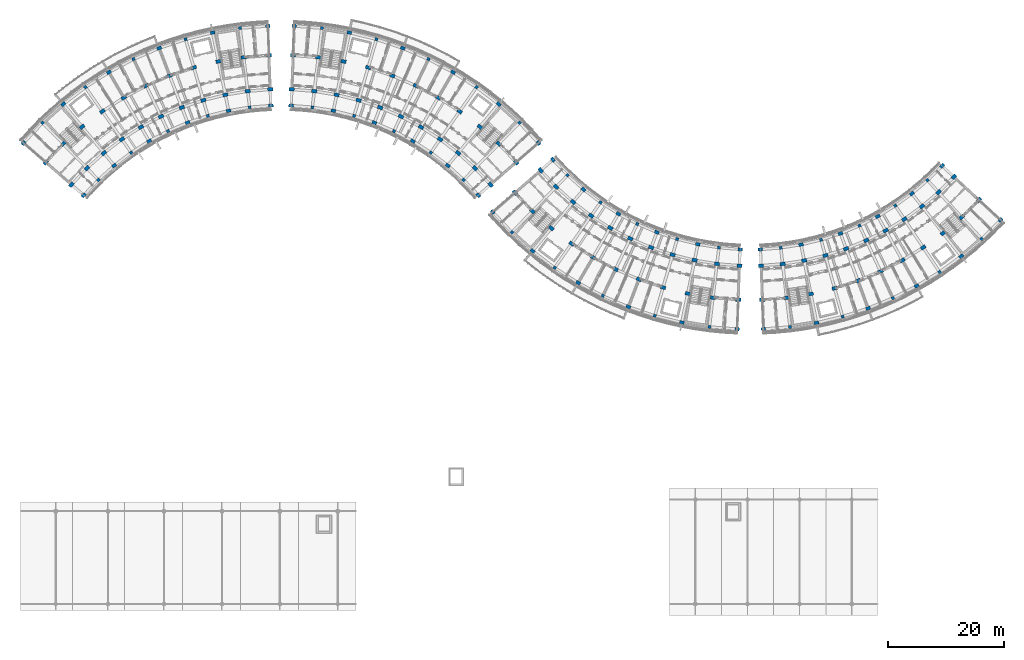
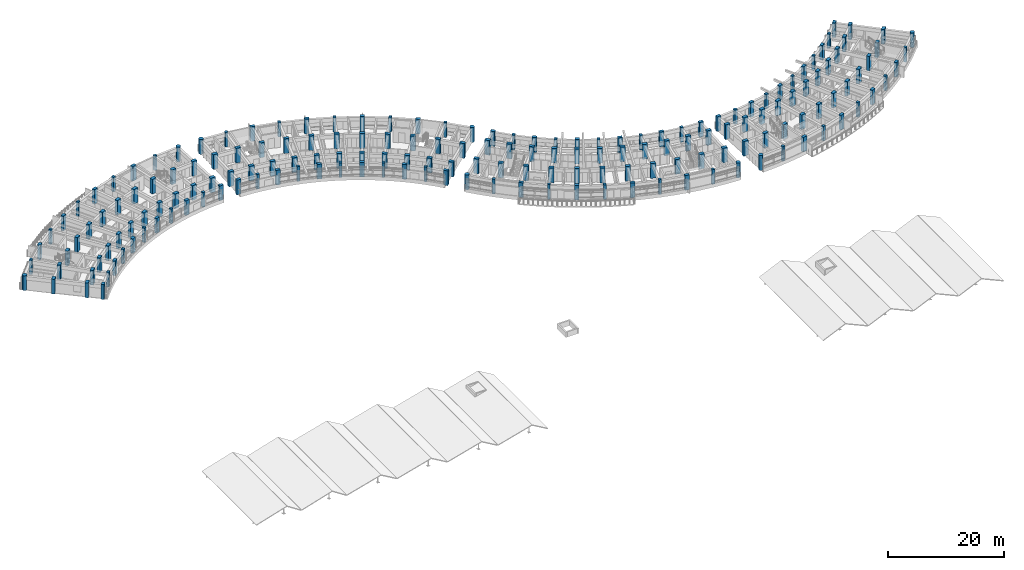
# One storey, part 1 of 70: 176 columns.
"""IFC4 building model written with IfcOpenShell, lengths in metres."""

import ifcopenshell
import ifcopenshell.guid

model = None  # the IFC model being written
_history = None  # IfcOwnerHistory: only IFC2X3 demands one
_inside = {}  # id of a spatial element -> (the spatial element, [elements in it])
_under = {}  # id of a project, library or spatial element -> (it, [spatial elements below it])
_declared = {}  # id of a project -> (the project, [libraries it declares])
_typed = {}  # id of a type object -> (the type object, [elements of that type])
_made_of = {}  # id of a material, layer set ... -> (it, [elements and type objects made of it])


def new_model(schema):
    """Start an empty IFC model of exactly this schema.

    Asked for "IFC4X3", IfcOpenShell would pick the latest addendum, in which some entities
    have other attributes; the version numbers below select the first issue.
    IFC2X3 requires an IfcOwnerHistory on every rooted entity: one is made here for all.
    """
    global model, _history
    if schema == "IFC4X3":
        model = ifcopenshell.file(schema_version=(4, 3, 0, 0))
    else:
        model = ifcopenshell.file(schema=schema)
    _inside.clear()
    _under.clear()
    _declared.clear()
    _typed.clear()
    _made_of.clear()
    _history = None
    if model.schema == "IFC2X3":
        org = make("IfcOrganization", Name="unknown")
        user = make(
            "IfcPersonAndOrganization",
            ThePerson=make("IfcPerson", FamilyName="unknown"),
            TheOrganization=org,
        )
        app = make(
            "IfcApplication",
            ApplicationDeveloper=org,
            Version="unknown",
            ApplicationFullName="unknown",
            ApplicationIdentifier="unknown",
        )
        _history = make(
            "IfcOwnerHistory",
            OwningUser=user,
            OwningApplication=app,
            ChangeAction="ADDED",
            CreationDate=0,
        )
    return model


def make(cls, **values):
    """One entity of the class cls with the attributes given. An attribute that is None is left unset."""
    return model.create_entity(
        cls, **{name: value for name, value in values.items() if value is not None}
    )


def rooted(cls, **values):
    """An entity with a GlobalId (a new one), such as an element, a storey or a relation."""
    return make(cls, GlobalId=ifcopenshell.guid.new(), OwnerHistory=_history, **values)


def si_unit(unit_type, name, prefix=None):
    """IfcSIUnit, for example si_unit("LENGTHUNIT", "METRE", prefix="MILLI")."""
    return make("IfcSIUnit", UnitType=unit_type, Prefix=prefix, Name=name)


def assignment(units):
    """IfcUnitAssignment: the units of a project."""
    return None if units is None else make("IfcUnitAssignment", Units=units)


def point(xyz):
    """IfcCartesianPoint."""
    return None if xyz is None else make("IfcCartesianPoint", Coordinates=xyz)


def direction(xyz):
    """IfcDirection."""
    return None if xyz is None else make("IfcDirection", DirectionRatios=xyz)


def frame(location, z_axis=None, x_axis=None):
    """IfcAxis2Placement3D, a coordinate frame: its origin and axes. An axis left out is left unset."""
    return make(
        "IfcAxis2Placement3D",
        Location=point(location),
        Axis=direction(z_axis),
        RefDirection=direction(x_axis),
    )


def frame_2d(location, x_axis=None):
    """IfcAxis2Placement2D, a coordinate frame in the plane: its origin and x axis."""
    return make(
        "IfcAxis2Placement2D", Location=point(location), RefDirection=direction(x_axis)
    )


def origin():
    """The frame at (0, 0, 0) with its axes left unset."""
    return frame((0.0, 0.0, 0.0))


def origin_2d():
    """The frame at (0, 0) in the plane with its x axis left unset."""
    return frame_2d((0.0, 0.0))


def place(relative_to, where):
    """IfcLocalPlacement: puts the frame where relative to a parent placement (None: the world)."""
    return make(
        "IfcLocalPlacement", PlacementRelTo=relative_to, RelativePlacement=where
    )


def context(
    kind, dimensions, precision=None, world=None, true_north=None, identifier=None
):
    """IfcGeometricRepresentationContext, for example the 3D "Model" context."""
    return make(
        "IfcGeometricRepresentationContext",
        ContextIdentifier=identifier,
        ContextType=kind,
        CoordinateSpaceDimension=dimensions,
        Precision=precision,
        WorldCoordinateSystem=world,
        TrueNorth=true_north,
    )


def subcontext(parent, identifier, kind, view, scale=None):
    """IfcGeometricRepresentationSubContext, for example "Body" below "Model"."""
    return make(
        "IfcGeometricRepresentationSubContext",
        ContextIdentifier=identifier,
        ContextType=kind,
        ParentContext=parent,
        TargetScale=scale,
        TargetView=view,
    )


def project(units=None, contexts=None):
    """IfcProject with its units and contexts."""
    return rooted(
        "IfcProject",
        Name="project",
        RepresentationContexts=contexts,
        UnitsInContext=assignment(units),
    )


def spatial(cls, under=None, at=None, **own):
    """A site, building, storey or space (cls), placed at a placement, below another one or the project."""
    s = rooted(cls, ObjectPlacement=at, **own)
    if under is not None:
        _under.setdefault(under.id(), (under, []))[1].append(s)
    return s


def profile(cls, at=None, kind="AREA", **sizes):
    """A parametric profile (cls). Its sizes go by their IFC names, for example OverallWidth=200.0."""
    return make(cls, ProfileType=kind, Position=at, **sizes)


def rectangle(**sizes):
    """IfcRectangleProfileDef."""
    return profile("IfcRectangleProfileDef", **sizes)


def circle(**sizes):
    """IfcCircleProfileDef."""
    return profile("IfcCircleProfileDef", **sizes)


def extrude(swept, where, along, depth):
    """IfcExtrudedAreaSolid: the profile swept, set in the frame where, extruded along a direction by depth."""
    return make(
        "IfcExtrudedAreaSolid",
        SweptArea=swept,
        Position=where,
        ExtrudedDirection=direction(along),
        Depth=depth,
    )


def shape(context_of_items, identifier, shape_type, items):
    """IfcShapeRepresentation: the items that make up one representation, for example the "Body"."""
    return make(
        "IfcShapeRepresentation",
        ContextOfItems=context_of_items,
        RepresentationIdentifier=identifier,
        RepresentationType=shape_type,
        Items=items,
    )


def material(Name=None, Category=None):
    """IfcMaterial."""
    return make("IfcMaterial", Name=Name, Category=Category)


def material_profile(
    of_material, cross_section, Name=None, Category=None, Priority=None
):
    """IfcMaterialProfile: a cross section and its material."""
    return make(
        "IfcMaterialProfile",
        Name=Name,
        Material=of_material,
        Profile=cross_section,
        Priority=Priority,
        Category=Category,
    )


def profile_set(profiles, Name=None, composite=None):
    """IfcMaterialProfileSet."""
    return make(
        "IfcMaterialProfileSet",
        Name=Name,
        MaterialProfiles=profiles,
        CompositeProfile=composite,
    )


def made_of(thing, what):
    """Note that an element or type object is made of a material, layer set ...; save() writes the relation."""
    if what is not None:
        _made_of.setdefault(what.id(), (what, []))[1].append(thing)
    return thing


def type_object(cls, material=None, **own):
    """A type object (cls), such as IfcWallType, which elements share."""
    return made_of(rooted(cls, **own), material)


def element(
    cls,
    number,
    at=None,
    inside=None,
    cuts=None,
    type_object=None,
    material=None,
    context=None,
    identifier="Body",
    shape_type=None,
    held_by="IfcProductDefinitionShape",
    body=None,
    shapes=None,
    **own,
):
    """One element of the class cls, such as IfcWall. Its Tag is "e" and its number.

    at: its placement. inside: the storey or other place that contains it. cuts: it is an
    opening in that element (IfcRelVoidsElement). A single representation is given by context,
    identifier, shape_type and body (its items); several are given by shapes. held_by: the class
    of the entity that holds the representations. save() writes the other relations.
    """
    e = rooted(cls, Tag="e%d" % number, ObjectPlacement=at, **own)
    if body is not None:
        shapes = [shape(context, identifier, shape_type, body)]
    if shapes is not None:
        e.Representation = make(held_by, Representations=shapes)
    if inside is not None:
        _inside.setdefault(inside.id(), (inside, []))[1].append(e)
    if cuts is not None:
        rooted(
            "IfcRelVoidsElement", RelatingBuildingElement=cuts, RelatedOpeningElement=e
        )
    if type_object is not None:
        _typed.setdefault(type_object.id(), (type_object, []))[1].append(e)
    return made_of(e, material)


def aggregate(whole, parts):
    """IfcRelAggregates: a whole, such as a stair, and the parts it consists of."""
    return rooted("IfcRelAggregates", RelatingObject=whole, RelatedObjects=parts)


def save(model, path):
    """Write the relations noted so far, then the file.

    IfcRelAggregates (storeys below a building ...), IfcRelContainedInSpatialStructure (elements
    in a storey), IfcRelDefinesByType, IfcRelAssociatesMaterial and IfcRelDeclares: one each for
    every whole, place, type object, material and project.
    """
    for whole, parts in _under.values():
        aggregate(whole, parts)
    for where, things in _inside.values():
        rooted(
            "IfcRelContainedInSpatialStructure",
            RelatedElements=things,
            RelatingStructure=where,
        )
    for kind, things in _typed.values():
        rooted("IfcRelDefinesByType", RelatedObjects=things, RelatingType=kind)
    for what, things in _made_of.values():
        rooted("IfcRelAssociatesMaterial", RelatedObjects=things, RelatingMaterial=what)
    for by, libraries in _declared.values():
        rooted("IfcRelDeclares", RelatingContext=by, RelatedDefinitions=libraries)
    model.write(path)


model = new_model("IFC4")

# Units and contexts
model_context = context("Model", 3, precision=1e-05, world=origin(), true_north=direction((0.0, 1.0)))
body_context = subcontext(model_context, "Body", "Model", "MODEL_VIEW")
ifc_project = project(units=[si_unit("LENGTHUNIT", "METRE"), si_unit("AREAUNIT", "SQUARE_METRE"), si_unit("VOLUMEUNIT", "CUBIC_METRE"), si_unit("PLANEANGLEUNIT", "RADIAN"), si_unit("MASSUNIT", "GRAM", prefix="KILO")], contexts=[model_context])

# Site, building, storey
site_placement = place(None, origin())
site = spatial("IfcSite", under=ifc_project, at=site_placement, CompositionType="ELEMENT")
building_placement = place(site_placement, origin())
building = spatial("IfcBuilding", under=site, at=building_placement, Name="Zimvara Arc Housing Community", CompositionType="ELEMENT")
storey_placement = place(building_placement, frame((0.0, 0.0, 8.10009765625)))
storey = spatial("IfcBuildingStorey", under=building, at=storey_placement, Name="L02", CompositionType="ELEMENT", Elevation=8.10009765625)

# Columns
ifc_material_1 = material(Name="Concrete C40/50", Category="concrete")
ifc_material_profile_1 = material_profile(ifc_material_1, rectangle(XDim=0.5, YDim=0.5, at=origin_2d()), Name="RC 500x500")
ifc_profile_set_1 = profile_set([ifc_material_profile_1], Name="Concrete C40/50")
column_type_1 = type_object("IfcColumnType", Name="COL-RC-500x500", PredefinedType="COLUMN", material=ifc_profile_set_1)
for number, where, z_axis, x_axis, name in (
    (1, (13.476318359375, 76.781005859375, 0.0), (0.0, 0.0, 1.0), (-0.698665066769, 0.715448897181, 0.0), "col:blkA:L02:b1:r0"),
    (2, (3.862548828125, 86.625732421875, 0.0), (0.0, 0.0, 1.0), (-0.698665066769, 0.715448897181, 0.0), "col:blkA:L02:b1:r3"),
    (3, (19.14599609375, 81.478271484375, 0.0), (0.0, 0.0, 1.0), (-0.573004420611, 0.819552276527, 0.0), "col:blkA:L02:b3:r0"),
    (4, (11.261474609375, 92.755126953125, 0.0), (0.0, 0.0, 1.0), (-0.573004420611, 0.819552276527, 0.0), "col:blkA:L02:b3:r3"),
    (5, (25.50439453125, 85.190673828125, 0.0), (0.0, 0.0, 1.0), (-0.432085748802, 0.901832526405, 0.0), "col:blkA:L02:b5:r0"),
    (6, (19.558837890625, 97.599853515625, 0.0), (0.0, 0.0, 1.0), (-0.432085748802, 0.901832526405, 0.0), "col:blkA:L02:b5:r3"),
    (7, (32.381591796875, 87.819580078125, 0.0), (0.0, 0.0, 1.0), (-0.27966144946, 0.96009867914, 0.0), "col:blkA:L02:b7:r0"),
    (8, (28.533447265625, 101.030517578125, 0.0), (0.0, 0.0, 1.0), (-0.27966144946, 0.96009867914, 0.0), "col:blkA:L02:b7:r3"),
    (9, (39.594970703125, 89.295166015625, 0.0), (0.0, 0.0, 1.0), (-0.119790293837, 0.992799217114, 0.0), "col:blkA:L02:b9:r0"),
    (10, (37.94677734375, 102.9560546875, 0.0), (0.0, 0.0, 1.0), (-0.119790293837, 0.992799217114, 0.0), "col:blkA:L02:b9:r3"),
    (11, (50.405029296875, 89.295166015625, 0.0), (0.0, 0.0, 1.0), (0.119790293837, 0.992799217114, 0.0), "col:blkB:L02:b1:r0"),
    (12, (52.05322265625, 102.9560546875, 0.0), (0.0, 0.0, 1.0), (0.119790293837, 0.992799217114, 0.0), "col:blkB:L02:b1:r3"),
    (13, (57.618408203125, 87.819580078125, 0.0), (0.0, 0.0, 1.0), (0.27966144946, 0.96009867914, 0.0), "col:blkB:L02:b3:r0"),
    (14, (61.466552734375, 101.030517578125, 0.0), (0.0, 0.0, 1.0), (0.27966144946, 0.96009867914, 0.0), "col:blkB:L02:b3:r3"),
    (15, (64.49560546875, 85.190673828125, 0.0), (0.0, 0.0, 1.0), (0.432085748802, 0.901832526405, 0.0), "col:blkB:L02:b5:r0"),
    (16, (70.441162109375, 97.599853515625, 0.0), (0.0, 0.0, 1.0), (0.432085748802, 0.901832526405, 0.0), "col:blkB:L02:b5:r3"),
    (17, (70.85400390625, 81.478271484375, 0.0), (0.0, 0.0, 1.0), (0.573004420611, 0.819552276527, 0.0), "col:blkB:L02:b7:r0"),
    (18, (78.738525390625, 92.755126953125, 0.0), (0.0, 0.0, 1.0), (0.573004420611, 0.819552276527, 0.0), "col:blkB:L02:b7:r3"),
    (19, (76.523681640625, 76.781005859375, 0.0), (0.0, 0.0, 1.0), (0.698665066769, 0.715448897181, 0.0), "col:blkB:L02:b9:r0"),
    (20, (86.137451171875, 86.625732421875, 0.0), (0.0, 0.0, 1.0), (0.698665066769, 0.715448897181, 0.0), "col:blkB:L02:b9:r3"),
    (21, (94.456298828125, 77.578857421875, 0.0), (0.0, 0.0, 1.0), (-0.698665066769, -0.715448897181, 0.0), "col:blkC:L02:b1:r0"),
    (22, (84.842529296875, 67.734375, 0.0), (0.0, 0.0, 1.0), (-0.698665066769, -0.715448897181, 0.0), "col:blkC:L02:b1:r3"),
    (23, (100.1259765625, 72.8818359375, 0.0), (0.0, 0.0, 1.0), (-0.573004420611, -0.819552276527, 0.0), "col:blkC:L02:b3:r0"),
    (24, (92.241455078125, 61.604736328125, 0.0), (0.0, 0.0, 1.0), (-0.573004420611, -0.819552276527, 0.0), "col:blkC:L02:b3:r3"),
    (25, (106.484375, 69.16943359375, 0.0), (0.0, 0.0, 1.0), (-0.432085748802, -0.901832526405, 0.0), "col:blkC:L02:b5:r0"),
    (26, (100.538818359375, 56.760009765625, 0.0), (0.0, 0.0, 1.0), (-0.432085748802, -0.901832526405, 0.0), "col:blkC:L02:b5:r3"),
    (27, (113.361572265625, 66.540283203125, 0.0), (0.0, 0.0, 1.0), (-0.27966144946, -0.96009867914, 0.0), "col:blkC:L02:b7:r0"),
    (28, (109.513427734375, 53.329345703125, 0.0), (0.0, 0.0, 1.0), (-0.27966144946, -0.96009867914, 0.0), "col:blkC:L02:b7:r3"),
    (29, (120.574951171875, 65.06494140625, 0.0), (0.0, 0.0, 1.0), (-0.119790293837, -0.992799217114, 0.0), "col:blkC:L02:b9:r0"),
    (30, (118.9267578125, 51.404052734375, 0.0), (0.0, 0.0, 1.0), (-0.119790293837, -0.992799217114, 0.0), "col:blkC:L02:b9:r3"),
    (31, (131.244140625, 65.048095703125, 0.0), (0.0, 0.0, 1.0), (0.116670737099, -0.993170649538, 0.0), "col:blkD:L02:b1:r0"),
    (32, (132.849609375, 51.382080078125, 0.0), (0.0, 0.0, 1.0), (0.116670737099, -0.993170649538, 0.0), "col:blkD:L02:b1:r3"),
    (33, (138.189453125, 66.42333984375, 0.0), (0.0, 0.0, 1.0), (0.270600445976, -0.962691746426, 0.0), "col:blkD:L02:b3:r0"),
    (34, (141.912841796875, 53.1767578125, 0.0), (0.0, 0.0, 1.0), (0.270600445976, -0.962691746426, 0.0), "col:blkD:L02:b3:r3"),
    (35, (144.834228515625, 68.8681640625, 0.0), (0.0, 0.0, 1.0), (0.417867073801, -0.908508177527, 0.0), "col:blkD:L02:b5:r0"),
    (36, (150.583984375, 56.366943359375, 0.0), (0.0, 0.0, 1.0), (0.417867073801, -0.908508177527, 0.0), "col:blkD:L02:b5:r3"),
    (37, (151.0146484375, 72.322265625, 0.0), (0.0, 0.0, 1.0), (0.554844427448, -0.83195412213, 0.0), "col:blkD:L02:b7:r0"),
    (38, (158.649169921875, 60.87451171875, 0.0), (0.0, 0.0, 1.0), (0.554844427448, -0.83195412213, 0.0), "col:blkD:L02:b7:r3"),
    (39, (156.57861328125, 76.70068359375, 0.0), (0.0, 0.0, 1.0), (0.678159669868, -0.73491459515, 0.0), "col:blkD:L02:b9:r0"),
    (40, (165.91015625, 66.588134765625, 0.0), (0.0, 0.0, 1.0), (0.678159669868, -0.73491459515, 0.0), "col:blkD:L02:b9:r3"),
):
    element("IfcColumn", number, at=place(storey_placement, frame(where, z_axis=z_axis, x_axis=x_axis)), inside=storey, type_object=column_type_1, Name=name, PredefinedType="COLUMN", context=body_context, shape_type="SweptSolid", body=[
        extrude(rectangle(XDim=0.5, YDim=0.5, at=origin_2d()), origin(), (0.0, 0.0, 1.0), 3.099853515625),
    ])
ifc_material_2 = material(Name="Concrete C40/50", Category="concrete")
ifc_material_profile_2 = material_profile(ifc_material_2, rectangle(XDim=0.550048828125, YDim=0.800048828125, at=origin_2d()), Name="RC 550x800")
ifc_profile_set_2 = profile_set([ifc_material_profile_2], Name="Concrete C40/50")
column_type_2 = type_object("IfcColumnType", Name="COL-RC-550x800", PredefinedType="COLUMN", material=ifc_profile_set_2)
for number, where, z_axis, x_axis, name in (
    (41, (10.947509765625, 74.101318359375, 0.0), (0.0, 0.0, 1.0), (-0.754709580223, 0.656059028991, 0.0), "col:blkA:L02:b0:r0"),
    (42, (16.215087890625, 79.245361328125, 0.0), (0.0, 0.0, 1.0), (-0.637961754089, 0.770068049148, 0.0), "col:blkA:L02:b2:r0"),
    (43, (7.436767578125, 89.841552734375, 0.0), (0.0, 0.0, 1.0), (-0.637961754089, 0.770068049148, 0.0), "col:blkA:L02:b2:r3"),
    (44, (22.249267578125, 83.46435546875, 0.0), (0.0, 0.0, 1.0), (-0.504226211181, 0.863571611366, 0.0), "col:blkA:L02:b4:r0"),
    (45, (15.311279296875, 95.34716796875, 0.0), (0.0, 0.0, 1.0), (-0.504226211181, 0.863571611366, 0.0), "col:blkA:L02:b4:r3"),
    (46, (28.88916015625, 86.645751953125, 0.0), (0.0, 0.0, 1.0), (-0.357064076459, 0.934079892355, 0.0), "col:blkA:L02:b6:r0"),
    (47, (23.97607421875, 99.49853515625, 0.0), (0.0, 0.0, 1.0), (-0.357064076459, 0.934079892355, 0.0), "col:blkA:L02:b6:r3"),
    (48, (35.958251953125, 88.704833984375, 0.0), (0.0, 0.0, 1.0), (-0.200393999665, 0.979715389742, 0.0), "col:blkA:L02:b8:r0"),
    (49, (33.20068359375, 102.185546875, 0.0), (0.0, 0.0, 1.0), (-0.200393999665, 0.979715389742, 0.0), "col:blkA:L02:b8:r3"),
    (50, (43.267822265625, 89.586669921875, 0.0), (0.0, 0.0, 1.0), (-0.038387809088, 0.999262916411, 0.0), "col:blkA:L02:b10:r0"),
    (51, (46.732177734375, 89.586669921875, 0.0), (0.0, 0.0, 1.0), (0.038387809088, 0.999262916411, 0.0), "col:blkB:L02:b0:r0"),
    (52, (54.041748046875, 88.704833984375, 0.0), (0.0, 0.0, 1.0), (0.200393999665, 0.979715389742, 0.0), "col:blkB:L02:b2:r0"),
    (53, (56.79931640625, 102.185546875, 0.0), (0.0, 0.0, 1.0), (0.200393999665, 0.979715389742, 0.0), "col:blkB:L02:b2:r3"),
    (54, (61.11083984375, 86.645751953125, 0.0), (0.0, 0.0, 1.0), (0.357064076459, 0.934079892355, 0.0), "col:blkB:L02:b4:r0"),
    (55, (66.02392578125, 99.49853515625, 0.0), (0.0, 0.0, 1.0), (0.357064076459, 0.934079892355, 0.0), "col:blkB:L02:b4:r3"),
    (56, (67.750732421875, 83.46435546875, 0.0), (0.0, 0.0, 1.0), (0.504226211181, 0.863571611366, 0.0), "col:blkB:L02:b6:r0"),
    (57, (74.688720703125, 95.34716796875, 0.0), (0.0, 0.0, 1.0), (0.504226211181, 0.863571611366, 0.0), "col:blkB:L02:b6:r3"),
    (58, (73.784912109375, 79.245361328125, 0.0), (0.0, 0.0, 1.0), (0.637961754089, 0.770068049148, 0.0), "col:blkB:L02:b8:r0"),
    (59, (82.563232421875, 89.841552734375, 0.0), (0.0, 0.0, 1.0), (0.637961754089, 0.770068049148, 0.0), "col:blkB:L02:b8:r3"),
    (60, (79.052490234375, 74.101318359375, 0.0), (0.0, 0.0, 1.0), (0.754709580223, 0.656059028991, 0.0), "col:blkB:L02:b10:r0"),
    (61, (91.927490234375, 80.258544921875, 0.0), (0.0, 0.0, 1.0), (-0.754709580223, -0.656059028991, 0.0), "col:blkC:L02:b0:r0"),
    (62, (97.195068359375, 75.114501953125, 0.0), (0.0, 0.0, 1.0), (-0.637961754089, -0.770068049148, 0.0), "col:blkC:L02:b2:r0"),
    (63, (88.416748046875, 64.518310546875, 0.0), (0.0, 0.0, 1.0), (-0.637961754089, -0.770068049148, 0.0), "col:blkC:L02:b2:r3"),
    (64, (103.229248046875, 70.895751953125, 0.0), (0.0, 0.0, 1.0), (-0.504226211181, -0.863571611366, 0.0), "col:blkC:L02:b4:r0"),
    (65, (96.291259765625, 59.012939453125, 0.0), (0.0, 0.0, 1.0), (-0.504226211181, -0.863571611366, 0.0), "col:blkC:L02:b4:r3"),
    (66, (109.869384765625, 67.71435546875, 0.0), (0.0, 0.0, 1.0), (-0.357064076459, -0.934079892355, 0.0), "col:blkC:L02:b6:r0"),
    (67, (104.9560546875, 54.861328125, 0.0), (0.0, 0.0, 1.0), (-0.357064076459, -0.934079892355, 0.0), "col:blkC:L02:b6:r3"),
    (68, (116.938232421875, 65.6552734375, 0.0), (0.0, 0.0, 1.0), (-0.200393999665, -0.979715389742, 0.0), "col:blkC:L02:b8:r0"),
    (69, (114.180908203125, 52.17431640625, 0.0), (0.0, 0.0, 1.0), (-0.200393999665, -0.979715389742, 0.0), "col:blkC:L02:b8:r3"),
    (70, (124.248046875, 64.773193359375, 0.0), (0.0, 0.0, 1.0), (-0.038387809088, -0.999262916411, 0.0), "col:blkC:L02:b10:r0"),
    (71, (127.712158203125, 64.773193359375, 0.0), (0.0, 0.0, 1.0), (0.038387809088, -0.999262916411, 0.0), "col:blkD:L02:b0:r0"),
    (72, (134.743896484375, 65.599365234375, 0.0), (0.0, 0.0, 1.0), (0.19423435122, -0.980955155349, 0.0), "col:blkD:L02:b2:r0"),
    (73, (137.41650390625, 52.101318359375, 0.0), (0.0, 0.0, 1.0), (0.19423435122, -0.980955155349, 0.0), "col:blkD:L02:b2:r3"),
    (74, (141.559814453125, 67.51513671875, 0.0), (0.0, 0.0, 1.0), (0.345298198999, -0.93849302276, 0.0), "col:blkD:L02:b4:r0"),
    (75, (146.311279296875, 54.6015625, 0.0), (0.0, 0.0, 1.0), (0.345298198999, -0.93849302276, 0.0), "col:blkD:L02:b4:r3"),
    (76, (147.9921875, 70.473876953125, 0.0), (0.0, 0.0, 1.0), (0.487859659139, -0.87292207727, 0.0), "col:blkD:L02:b6:r0"),
    (77, (154.705078125, 58.46240234375, 0.0), (0.0, 0.0, 1.0), (0.487859659139, -0.87292207727, 0.0), "col:blkD:L02:b6:r3"),
    (78, (153.882568359375, 74.402099609375, 0.0), (0.0, 0.0, 1.0), (0.618408395358, -0.785856893175, 0.0), "col:blkD:L02:b8:r0"),
    (79, (162.391845703125, 63.5888671875, 0.0), (0.0, 0.0, 1.0), (0.618408395358, -0.785856893175, 0.0), "col:blkD:L02:b8:r3"),
    (80, (159.0859375, 79.20361328125, 0.0), (0.0, 0.0, 1.0), (0.733729864503, -0.679441304262, 0.0), "col:blkD:L02:b10:r0"),
):
    element("IfcColumn", number, at=place(storey_placement, frame(where, z_axis=z_axis, x_axis=x_axis)), inside=storey, type_object=column_type_2, Name=name, PredefinedType="COLUMN", context=body_context, shape_type="SweptSolid", body=[
        extrude(rectangle(XDim=0.550048828125, YDim=0.800048828125, at=origin_2d()), origin(), (0.0, 0.0, 1.0), 3.099853515625),
    ])
ifc_material_3 = material(Name="Concrete C40/50", Category="concrete")
ifc_material_profile_3 = material_profile(ifc_material_3, rectangle(XDim=0.60009765625, YDim=0.89990234375, at=origin_2d()), Name="RC 600x900")
ifc_profile_set_3 = profile_set([ifc_material_profile_3], Name="Concrete C40/50")
column_type_3 = type_object("IfcColumnType", Name="COL-RC-600x900", PredefinedType="COLUMN", material=ifc_profile_set_3)
for number, where, z_axis, x_axis, name in (
    (81, (8.834228515625, 75.938232421875, 0.0), (0.0, 0.0, 1.0), (-0.754709580223, 0.656059028991, 0.0), "col:blkA:L02:b0:r1"),
    (82, (4.396728515625, 79.7958984375, 0.0), (0.0, 0.0, 1.0), (-0.754709580223, 0.656059028991, 0.0), "col:blkA:L02:b0:r2"),
    (83, (11.52001953125, 78.784423828125, 0.0), (0.0, 0.0, 1.0), (-0.698665066769, 0.715448897181, 0.0), "col:blkA:L02:b1:r1"),
    (84, (7.411865234375, 82.9912109375, 0.0), (0.0, 0.0, 1.0), (-0.698665066769, 0.715448897181, 0.0), "col:blkA:L02:b1:r2"),
    (85, (14.428955078125, 81.401611328125, 0.0), (0.0, 0.0, 1.0), (-0.637961754089, 0.770068049148, 0.0), "col:blkA:L02:b2:r1"),
    (86, (10.677734375, 85.9296875, 0.0), (0.0, 0.0, 1.0), (-0.637961754089, 0.770068049148, 0.0), "col:blkA:L02:b2:r2"),
    (87, (17.541748046875, 83.77294921875, 0.0), (0.0, 0.0, 1.0), (-0.573004420611, 0.819552276527, 0.0), "col:blkA:L02:b3:r1"),
    (88, (14.17236328125, 88.591796875, 0.0), (0.0, 0.0, 1.0), (-0.573004420611, 0.819552276527, 0.0), "col:blkA:L02:b3:r2"),
    (89, (20.83740234375, 85.88232421875, 0.0), (0.0, 0.0, 1.0), (-0.504226211181, 0.863571611366, 0.0), "col:blkA:L02:b4:r1"),
    (90, (17.87255859375, 90.960205078125, 0.0), (0.0, 0.0, 1.0), (-0.504226211181, 0.863571611366, 0.0), "col:blkA:L02:b4:r2"),
    (91, (24.29443359375, 87.7158203125, 0.0), (0.0, 0.0, 1.0), (-0.432085748802, 0.901832526405, 0.0), "col:blkA:L02:b5:r1"),
    (92, (21.75390625, 93.0185546875, 0.0), (0.0, 0.0, 1.0), (-0.432085748802, 0.901832526405, 0.0), "col:blkA:L02:b5:r2"),
    (93, (27.889404296875, 89.260986328125, 0.0), (0.0, 0.0, 1.0), (-0.357064076459, 0.934079892355, 0.0), "col:blkA:L02:b6:r1"),
    (94, (25.7900390625, 94.75341796875, 0.0), (0.0, 0.0, 1.0), (-0.357064076459, 0.934079892355, 0.0), "col:blkA:L02:b6:r2"),
    (95, (31.5986328125, 90.5078125, 0.0), (0.0, 0.0, 1.0), (-0.27966144946, 0.96009867914, 0.0), "col:blkA:L02:b7:r1"),
    (96, (29.9541015625, 96.1533203125, 0.0), (0.0, 0.0, 1.0), (-0.27966144946, 0.96009867914, 0.0), "col:blkA:L02:b7:r2"),
    (97, (35.397216796875, 91.447998046875, 0.0), (0.0, 0.0, 1.0), (-0.200393999665, 0.979715389742, 0.0), "col:blkA:L02:b8:r1"),
    (98, (34.21875, 97.208740234375, 0.0), (0.0, 0.0, 1.0), (-0.200393999665, 0.979715389742, 0.0), "col:blkA:L02:b8:r2"),
    (99, (39.259765625, 92.074951171875, 0.0), (0.0, 0.0, 1.0), (-0.119790293837, 0.992799217114, 0.0), "col:blkA:L02:b9:r1"),
    (100, (38.55517578125, 97.91259765625, 0.0), (0.0, 0.0, 1.0), (-0.119790293837, 0.992799217114, 0.0), "col:blkA:L02:b9:r2"),
    (101, (43.160400390625, 92.384765625, 0.0), (0.0, 0.0, 1.0), (-0.038387809088, 0.999262916411, 0.0), "col:blkA:L02:b10:r1"),
    (102, (42.934814453125, 98.26025390625, 0.0), (0.0, 0.0, 1.0), (-0.038387809088, 0.999262916411, 0.0), "col:blkA:L02:b10:r2"),
    (103, (46.839599609375, 92.384765625, 0.0), (0.0, 0.0, 1.0), (0.038387809088, 0.999262916411, 0.0), "col:blkB:L02:b0:r1"),
    (104, (47.065185546875, 98.26025390625, 0.0), (0.0, 0.0, 1.0), (0.038387809088, 0.999262916411, 0.0), "col:blkB:L02:b0:r2"),
    (105, (50.740234375, 92.074951171875, 0.0), (0.0, 0.0, 1.0), (0.119790293837, 0.992799217114, 0.0), "col:blkB:L02:b1:r1"),
    (106, (51.44482421875, 97.91259765625, 0.0), (0.0, 0.0, 1.0), (0.119790293837, 0.992799217114, 0.0), "col:blkB:L02:b1:r2"),
    (107, (54.602783203125, 91.447998046875, 0.0), (0.0, 0.0, 1.0), (0.200393999665, 0.979715389742, 0.0), "col:blkB:L02:b2:r1"),
    (108, (55.78125, 97.208740234375, 0.0), (0.0, 0.0, 1.0), (0.200393999665, 0.979715389742, 0.0), "col:blkB:L02:b2:r2"),
    (109, (58.4013671875, 90.5078125, 0.0), (0.0, 0.0, 1.0), (0.27966144946, 0.96009867914, 0.0), "col:blkB:L02:b3:r1"),
    (110, (60.0458984375, 96.1533203125, 0.0), (0.0, 0.0, 1.0), (0.27966144946, 0.96009867914, 0.0), "col:blkB:L02:b3:r2"),
    (111, (62.110595703125, 89.260986328125, 0.0), (0.0, 0.0, 1.0), (0.357064076459, 0.934079892355, 0.0), "col:blkB:L02:b4:r1"),
    (112, (64.2099609375, 94.75341796875, 0.0), (0.0, 0.0, 1.0), (0.357064076459, 0.934079892355, 0.0), "col:blkB:L02:b4:r2"),
    (113, (65.70556640625, 87.7158203125, 0.0), (0.0, 0.0, 1.0), (0.432085748802, 0.901832526405, 0.0), "col:blkB:L02:b5:r1"),
    (114, (68.24609375, 93.0185546875, 0.0), (0.0, 0.0, 1.0), (0.432085748802, 0.901832526405, 0.0), "col:blkB:L02:b5:r2"),
    (115, (69.16259765625, 85.88232421875, 0.0), (0.0, 0.0, 1.0), (0.504226211181, 0.863571611366, 0.0), "col:blkB:L02:b6:r1"),
    (116, (72.12744140625, 90.960205078125, 0.0), (0.0, 0.0, 1.0), (0.504226211181, 0.863571611366, 0.0), "col:blkB:L02:b6:r2"),
    (117, (72.458251953125, 83.77294921875, 0.0), (0.0, 0.0, 1.0), (0.573004420611, 0.819552276527, 0.0), "col:blkB:L02:b7:r1"),
    (118, (75.82763671875, 88.591796875, 0.0), (0.0, 0.0, 1.0), (0.573004420611, 0.819552276527, 0.0), "col:blkB:L02:b7:r2"),
    (119, (75.571044921875, 81.401611328125, 0.0), (0.0, 0.0, 1.0), (0.637961754089, 0.770068049148, 0.0), "col:blkB:L02:b8:r1"),
    (120, (79.322265625, 85.9296875, 0.0), (0.0, 0.0, 1.0), (0.637961754089, 0.770068049148, 0.0), "col:blkB:L02:b8:r2"),
    (121, (78.47998046875, 78.784423828125, 0.0), (0.0, 0.0, 1.0), (0.698665066769, 0.715448897181, 0.0), "col:blkB:L02:b9:r1"),
    (122, (82.588134765625, 82.9912109375, 0.0), (0.0, 0.0, 1.0), (0.698665066769, 0.715448897181, 0.0), "col:blkB:L02:b9:r2"),
    (123, (81.165771484375, 75.938232421875, 0.0), (0.0, 0.0, 1.0), (0.754709580223, 0.656059028991, 0.0), "col:blkB:L02:b10:r1"),
    (124, (85.603271484375, 79.7958984375, 0.0), (0.0, 0.0, 1.0), (0.754709580223, 0.656059028991, 0.0), "col:blkB:L02:b10:r2"),
    (125, (89.814208984375, 78.421630859375, 0.0), (0.0, 0.0, 1.0), (-0.754709580223, -0.656059028991, 0.0), "col:blkC:L02:b0:r1"),
    (126, (85.376708984375, 74.56396484375, 0.0), (0.0, 0.0, 1.0), (-0.754709580223, -0.656059028991, 0.0), "col:blkC:L02:b0:r2"),
    (127, (92.5, 75.57568359375, 0.0), (0.0, 0.0, 1.0), (-0.698665066769, -0.715448897181, 0.0), "col:blkC:L02:b1:r1"),
    (128, (88.391845703125, 71.368896484375, 0.0), (0.0, 0.0, 1.0), (-0.698665066769, -0.715448897181, 0.0), "col:blkC:L02:b1:r2"),
    (129, (95.408935546875, 72.958251953125, 0.0), (0.0, 0.0, 1.0), (-0.637961754089, -0.770068049148, 0.0), "col:blkC:L02:b2:r1"),
    (130, (91.65771484375, 68.430419921875, 0.0), (0.0, 0.0, 1.0), (-0.637961754089, -0.770068049148, 0.0), "col:blkC:L02:b2:r2"),
    (131, (98.521728515625, 70.587158203125, 0.0), (0.0, 0.0, 1.0), (-0.573004420611, -0.819552276527, 0.0), "col:blkC:L02:b3:r1"),
    (132, (95.15234375, 65.76806640625, 0.0), (0.0, 0.0, 1.0), (-0.573004420611, -0.819552276527, 0.0), "col:blkC:L02:b3:r2"),
    (133, (101.8173828125, 68.4775390625, 0.0), (0.0, 0.0, 1.0), (-0.504226211181, -0.863571611366, 0.0), "col:blkC:L02:b4:r1"),
    (134, (98.8525390625, 63.39990234375, 0.0), (0.0, 0.0, 1.0), (-0.504226211181, -0.863571611366, 0.0), "col:blkC:L02:b4:r2"),
    (135, (105.2744140625, 66.644287109375, 0.0), (0.0, 0.0, 1.0), (-0.432085748802, -0.901832526405, 0.0), "col:blkC:L02:b5:r1"),
    (136, (102.73388671875, 61.34130859375, 0.0), (0.0, 0.0, 1.0), (-0.432085748802, -0.901832526405, 0.0), "col:blkC:L02:b5:r2"),
    (137, (108.869384765625, 65.098876953125, 0.0), (0.0, 0.0, 1.0), (-0.357064076459, -0.934079892355, 0.0), "col:blkC:L02:b6:r1"),
    (138, (106.77001953125, 59.6064453125, 0.0), (0.0, 0.0, 1.0), (-0.357064076459, -0.934079892355, 0.0), "col:blkC:L02:b6:r2"),
    (139, (112.57861328125, 63.85205078125, 0.0), (0.0, 0.0, 1.0), (-0.27966144946, -0.96009867914, 0.0), "col:blkC:L02:b7:r1"),
    (140, (110.934326171875, 58.206787109375, 0.0), (0.0, 0.0, 1.0), (-0.27966144946, -0.96009867914, 0.0), "col:blkC:L02:b7:r2"),
    (141, (116.377197265625, 62.912109375, 0.0), (0.0, 0.0, 1.0), (-0.200393999665, -0.979715389742, 0.0), "col:blkC:L02:b8:r1"),
    (142, (115.19873046875, 57.1513671875, 0.0), (0.0, 0.0, 1.0), (-0.200393999665, -0.979715389742, 0.0), "col:blkC:L02:b8:r2"),
    (143, (120.23974609375, 62.28515625, 0.0), (0.0, 0.0, 1.0), (-0.119790293837, -0.992799217114, 0.0), "col:blkC:L02:b9:r1"),
    (144, (119.535400390625, 56.447509765625, 0.0), (0.0, 0.0, 1.0), (-0.119790293837, -0.992799217114, 0.0), "col:blkC:L02:b9:r2"),
    (145, (124.140380859375, 61.975341796875, 0.0), (0.0, 0.0, 1.0), (-0.038387809088, -0.999262916411, 0.0), "col:blkC:L02:b10:r1"),
    (146, (123.914794921875, 56.099609375, 0.0), (0.0, 0.0, 1.0), (-0.038387809088, -0.999262916411, 0.0), "col:blkC:L02:b10:r2"),
    (147, (127.819580078125, 61.975341796875, 0.0), (0.0, 0.0, 1.0), (0.038387809088, -0.999262916411, 0.0), "col:blkD:L02:b0:r1"),
    (148, (128.045166015625, 56.099609375, 0.0), (0.0, 0.0, 1.0), (0.038387809088, -0.999262916411, 0.0), "col:blkD:L02:b0:r2"),
    (149, (131.57080078125, 62.267333984375, 0.0), (0.0, 0.0, 1.0), (0.116670737099, -0.993170649538, 0.0), "col:blkD:L02:b1:r1"),
    (150, (132.2568359375, 56.427490234375, 0.0), (0.0, 0.0, 1.0), (0.116670737099, -0.993170649538, 0.0), "col:blkD:L02:b1:r2"),
    (151, (135.28759765625, 62.8525390625, 0.0), (0.0, 0.0, 1.0), (0.19423435122, -0.980955155349, 0.0), "col:blkD:L02:b2:r1"),
    (152, (136.4296875, 57.084716796875, 0.0), (0.0, 0.0, 1.0), (0.19423435122, -0.980955155349, 0.0), "col:blkD:L02:b2:r2"),
    (153, (138.947265625, 63.727783203125, 0.0), (0.0, 0.0, 1.0), (0.270600445976, -0.962691746426, 0.0), "col:blkD:L02:b3:r1"),
    (154, (140.538330078125, 58.067138671875, 0.0), (0.0, 0.0, 1.0), (0.270600445976, -0.962691746426, 0.0), "col:blkD:L02:b3:r2"),
    (155, (142.526611328125, 64.887451171875, 0.0), (0.0, 0.0, 1.0), (0.345298198999, -0.93849302276, 0.0), "col:blkD:L02:b4:r1"),
    (156, (144.55712890625, 59.369140625, 0.0), (0.0, 0.0, 1.0), (0.345298198999, -0.93849302276, 0.0), "col:blkD:L02:b4:r2"),
    (157, (146.004150390625, 66.32421875, 0.0), (0.0, 0.0, 1.0), (0.417867073801, -0.908508177527, 0.0), "col:blkD:L02:b5:r1"),
    (158, (148.461181640625, 60.982177734375, 0.0), (0.0, 0.0, 1.0), (0.417867073801, -0.908508177527, 0.0), "col:blkD:L02:b5:r2"),
    (159, (149.358154296875, 68.029541015625, 0.0), (0.0, 0.0, 1.0), (0.487859659139, -0.87292207727, 0.0), "col:blkD:L02:b6:r1"),
    (160, (152.226806640625, 62.896728515625, 0.0), (0.0, 0.0, 1.0), (0.487859659139, -0.87292207727, 0.0), "col:blkD:L02:b6:r2"),
    (161, (152.568115234375, 69.99267578125, 0.0), (0.0, 0.0, 1.0), (0.554844427448, -0.83195412213, 0.0), "col:blkD:L02:b7:r1"),
    (162, (155.83056640625, 65.100830078125, 0.0), (0.0, 0.0, 1.0), (0.554844427448, -0.83195412213, 0.0), "col:blkD:L02:b7:r2"),
    (163, (155.614013671875, 72.20166015625, 0.0), (0.0, 0.0, 1.0), (0.618408395358, -0.785856893175, 0.0), "col:blkD:L02:b8:r1"),
    (164, (159.25048828125, 67.580810546875, 0.0), (0.0, 0.0, 1.0), (0.618408395358, -0.785856893175, 0.0), "col:blkD:L02:b8:r2"),
    (165, (158.477294921875, 74.642822265625, 0.0), (0.0, 0.0, 1.0), (0.678159669868, -0.73491459515, 0.0), "col:blkD:L02:b9:r1"),
    (166, (162.465087890625, 70.321533203125, 0.0), (0.0, 0.0, 1.0), (0.678159669868, -0.73491459515, 0.0), "col:blkD:L02:b9:r2"),
    (167, (161.140380859375, 77.30126953125, 0.0), (0.0, 0.0, 1.0), (0.733729864503, -0.679441304262, 0.0), "col:blkD:L02:b10:r1"),
    (168, (165.45458984375, 73.30615234375, 0.0), (0.0, 0.0, 1.0), (0.733729864503, -0.679441304262, 0.0), "col:blkD:L02:b10:r2"),
):
    element("IfcColumn", number, at=place(storey_placement, frame(where, z_axis=z_axis, x_axis=x_axis)), inside=storey, type_object=column_type_3, Name=name, PredefinedType="COLUMN", context=body_context, shape_type="SweptSolid", body=[
        extrude(rectangle(XDim=0.60009765625, YDim=0.89990234375, at=origin_2d()), origin(), (0.0, 0.0, 1.0), 3.099853515625),
    ])
ifc_material_4 = material(Name="Concrete C40/50", Category="concrete")
ifc_material_profile_4 = material_profile(ifc_material_4, circle(Radius=0.39990234375, at=origin_2d()), Name="RC D800")
ifc_profile_set_4 = profile_set([ifc_material_profile_4], Name="Concrete C40/50")
column_type_4 = type_object("IfcColumnType", Name="COL-RC-D700", PredefinedType="COLUMN", material=ifc_profile_set_4)
for number, where, z_axis, x_axis, name in (
    (169, (0.562744140625, 83.128662109375, 0.0), (0.0, 0.0, 1.0), (-0.754709580223, 0.656059028991, 0.0), "col:blkA:L02:b0:r3"),
    (170, (42.73974609375, 103.336669921875, 0.0), (0.0, 0.0, 1.0), (-0.038387809088, 0.999262916411, 0.0), "col:blkA:L02:b10:r3"),
    (171, (47.26025390625, 103.336669921875, 0.0), (0.0, 0.0, 1.0), (0.038387809088, 0.999262916411, 0.0), "col:blkB:L02:b0:r3"),
    (172, (89.437255859375, 83.128662109375, 0.0), (0.0, 0.0, 1.0), (0.754709580223, 0.656059028991, 0.0), "col:blkB:L02:b10:r3"),
    (173, (81.542724609375, 71.231201171875, 0.0), (0.0, 0.0, 1.0), (-0.754709580223, -0.656059028991, 0.0), "col:blkC:L02:b0:r3"),
    (174, (123.7197265625, 51.0234375, 0.0), (0.0, 0.0, 1.0), (-0.038387809088, -0.999262916411, 0.0), "col:blkC:L02:b10:r3"),
    (175, (128.240234375, 51.0234375, 0.0), (0.0, 0.0, 1.0), (0.038387809088, -0.999262916411, 0.0), "col:blkD:L02:b0:r3"),
    (176, (169.18212890625, 69.8544921875, 0.0), (0.0, 0.0, 1.0), (0.733729864503, -0.679441304262, 0.0), "col:blkD:L02:b10:r3"),
):
    element("IfcColumn", number, at=place(storey_placement, frame(where, z_axis=z_axis, x_axis=x_axis)), inside=storey, type_object=column_type_4, Name=name, PredefinedType="COLUMN", context=body_context, shape_type="SweptSolid", body=[
        extrude(circle(Radius=0.39990234375, at=origin_2d()), origin(), (0.0, 0.0, 1.0), 3.099853515625),
    ])

save(model, "model.ifc")
